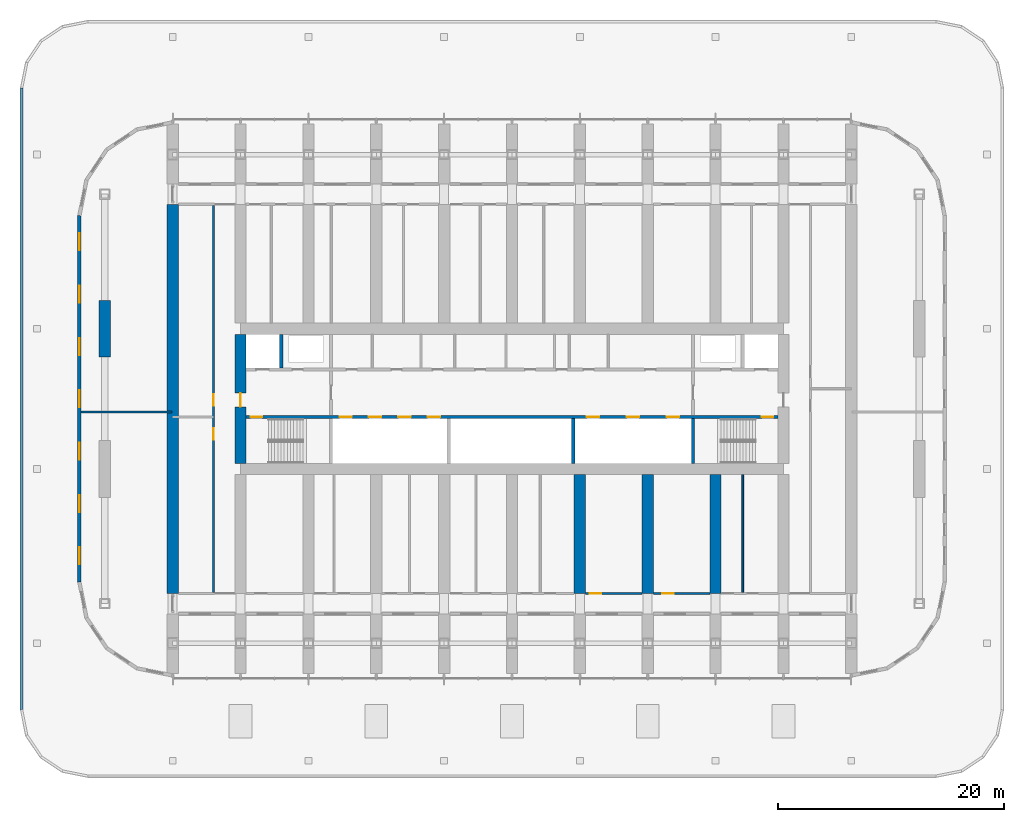
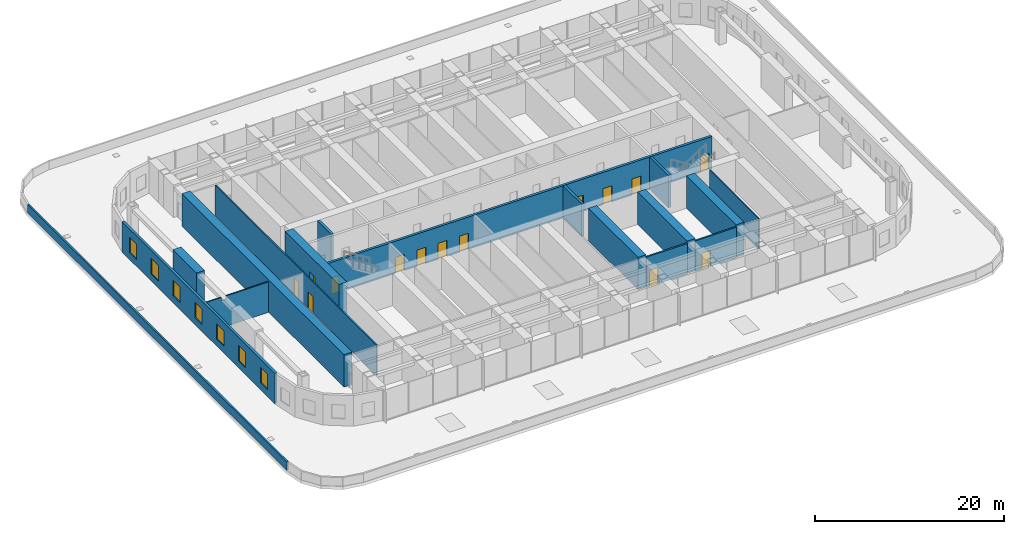
# One storey, part 12 of 23: 17 walls, 14 doors, 7 windows, 21 openings.
"""IFC4 building model written with IfcOpenShell, lengths in metres."""

from ifc_helpers import new_model, si_unit, direction, frame, frame_2d, origin, place, context, subcontext, project, spatial, polyline, rectangle, outline, extrude, material, layer, layer_set, type_object, element, fill, save


model = new_model("IFC4")

# Units and contexts
model_context = context("Model", 3, precision=1e-05, world=origin(), true_north=direction((0.0, 1.0)))
body_context = subcontext(model_context, "Body", "Model", "MODEL_VIEW")
ifc_project = project(units=[si_unit("LENGTHUNIT", "METRE"), si_unit("AREAUNIT", "SQUARE_METRE"), si_unit("VOLUMEUNIT", "CUBIC_METRE"), si_unit("PLANEANGLEUNIT", "RADIAN"), si_unit("MASSUNIT", "GRAM", prefix="KILO")], contexts=[model_context])

# Site, building, storey
site_placement = place(None, origin())
site = spatial("IfcSite", under=ifc_project, at=site_placement, CompositionType="ELEMENT")
building_placement = place(site_placement, origin())
building = spatial("IfcBuilding", under=site, at=building_placement, Name="Orbita Commons", CompositionType="ELEMENT")
storey_placement = place(building_placement, frame((0.0, 0.0, 16.0)))
storey = spatial("IfcBuildingStorey", under=building, at=storey_placement, Name="L03", CompositionType="ELEMENT", Elevation=16.0)

# Wall, openings, doors
ifc_material_1 = material(Name="Concrete C50/60", Category="concrete")
ifc_layer_1 = layer(ifc_material_1, 0.300048828125)
ifc_layer_set_1 = layer_set([ifc_layer_1], Name="Concrete C50/60")
wall_type_1 = type_object("IfcWallType", Name="Core inner wall 300 C50/60", PredefinedType="SHEAR", material=ifc_layer_set_1)
wall_1_placement = place(storey_placement, frame((18.5, 30.39990234375, 0.0), z_axis=(0.0, 0.0, 1.0), x_axis=(1.0, 0.0, 0.0)))
wall_1 = element("IfcWall", 1, at=wall_1_placement, inside=storey, type_object=wall_type_1, Name="Lobby wall south L03", PredefinedType="SHEAR", context=body_context, shape_type="SweptSolid", body=[
    extrude(rectangle(XDim=47.0, YDim=0.300048828125, at=frame_2d((23.5, 0.0))), origin(), (0.0, 0.0, 1.0), 4.199951171875),
])
opening_1_placement = place(wall_1_placement, frame((0.39990234375, 0.0, 0.0)))
opening_1 = element("IfcOpeningElement", 2, at=opening_1_placement, cuts=wall_1, Name="Opening D02", PredefinedType="OPENING", context=body_context, shape_type="SweptSolid", body=[
    extrude(rectangle(XDim=1.0, YDim=2.10009765625, at=frame_2d((0.5, 1.050048828125))), frame((0.0, 0.159912109375, 0.0), z_axis=(0.0, -1.0, 0.0), x_axis=(1.0, 0.0, 0.0)), (0.0, 0.0, 1.0), 0.320068359375),
])
opening_2_placement = place(wall_1_placement, frame((45.60009765625, 0.0, 0.0)))
opening_2 = element("IfcOpeningElement", 3, at=opening_2_placement, cuts=wall_1, Name="Opening D02", PredefinedType="OPENING", context=body_context, shape_type="SweptSolid", body=[
    extrude(rectangle(XDim=1.0, YDim=2.10009765625, at=frame_2d((0.5, 1.050048828125))), frame((0.0, 0.159912109375, 0.0), z_axis=(0.0, -1.0, 0.0), x_axis=(1.0, 0.0, 0.0)), (0.0, 0.0, 1.0), 0.320068359375),
])
opening_3_placement = place(wall_1_placement, frame((8.25, 0.0, 0.0)))
opening_3 = element("IfcOpeningElement", 4, at=opening_3_placement, cuts=wall_1, Name="Opening LD02", PredefinedType="OPENING", context=body_context, shape_type="SweptSolid", body=[
    extrude(rectangle(XDim=1.10009765625, YDim=2.10009765625, at=frame_2d((0.550048828125, 1.050048828125))), frame((0.0, 0.159912109375, 0.0), z_axis=(0.0, -1.0, 0.0), x_axis=(1.0, 0.0, 0.0)), (0.0, 0.0, 1.0), 0.320068359375),
])
opening_4_placement = place(wall_1_placement, frame((10.85009765625, 0.0, 0.0)))
opening_4 = element("IfcOpeningElement", 5, at=opening_4_placement, cuts=wall_1, Name="Opening LD02", PredefinedType="OPENING", context=body_context, shape_type="SweptSolid", body=[
    extrude(rectangle(XDim=1.10009765625, YDim=2.10009765625, at=frame_2d((0.550048828125, 1.050048828125))), frame((0.0, 0.159912109375, 0.0), z_axis=(0.0, -1.0, 0.0), x_axis=(1.0, 0.0, 0.0)), (0.0, 0.0, 1.0), 0.320068359375),
])
opening_5_placement = place(wall_1_placement, frame((13.449951171875, 0.0, 0.0)))
opening_5 = element("IfcOpeningElement", 6, at=opening_5_placement, cuts=wall_1, Name="Opening LD02", PredefinedType="OPENING", context=body_context, shape_type="SweptSolid", body=[
    extrude(rectangle(XDim=1.10009765625, YDim=2.10009765625, at=frame_2d((0.550048828125, 1.050048828125))), frame((0.0, 0.159912109375, 0.0), z_axis=(0.0, -1.0, 0.0), x_axis=(1.0, 0.0, 0.0)), (0.0, 0.0, 1.0), 0.320068359375),
])
opening_6_placement = place(wall_1_placement, frame((16.050048828125, 0.0, 0.0)))
opening_6 = element("IfcOpeningElement", 7, at=opening_6_placement, cuts=wall_1, Name="Opening LD02", PredefinedType="OPENING", context=body_context, shape_type="SweptSolid", body=[
    extrude(rectangle(XDim=1.10009765625, YDim=2.10009765625, at=frame_2d((0.550048828125, 1.050048828125))), frame((0.0, 0.159912109375, 0.0), z_axis=(0.0, -1.0, 0.0), x_axis=(1.0, 0.0, 0.0)), (0.0, 0.0, 1.0), 0.320068359375),
])
opening_7_placement = place(wall_1_placement, frame((30.11669921875, 0.0, 0.0)))
opening_7 = element("IfcOpeningElement", 8, at=opening_7_placement, cuts=wall_1, Name="Opening LD02", PredefinedType="OPENING", context=body_context, shape_type="SweptSolid", body=[
    extrude(rectangle(XDim=1.10009765625, YDim=2.10009765625, at=frame_2d((0.550048828125, 1.050048828125))), frame((0.0, 0.159912109375, 0.0), z_axis=(0.0, -1.0, 0.0), x_axis=(1.0, 0.0, 0.0)), (0.0, 0.0, 1.0), 0.320068359375),
])
opening_8_placement = place(wall_1_placement, frame((33.64990234375, 0.0, 0.0)))
opening_8 = element("IfcOpeningElement", 9, at=opening_8_placement, cuts=wall_1, Name="Opening LD02", PredefinedType="OPENING", context=body_context, shape_type="SweptSolid", body=[
    extrude(rectangle(XDim=1.10009765625, YDim=2.10009765625, at=frame_2d((0.550048828125, 1.050048828125))), frame((0.0, 0.159912109375, 0.0), z_axis=(0.0, -1.0, 0.0), x_axis=(1.0, 0.0, 0.0)), (0.0, 0.0, 1.0), 0.320068359375),
])
opening_9_placement = place(wall_1_placement, frame((37.183349609375, 0.0, 0.0)))
opening_9 = element("IfcOpeningElement", 10, at=opening_9_placement, cuts=wall_1, Name="Opening LD02", PredefinedType="OPENING", context=body_context, shape_type="SweptSolid", body=[
    extrude(rectangle(XDim=1.10009765625, YDim=2.10009765625, at=frame_2d((0.550048828125, 1.050048828125))), frame((0.0, 0.159912109375, 0.0), z_axis=(0.0, -1.0, 0.0), x_axis=(1.0, 0.0, 0.0)), (0.0, 0.0, 1.0), 0.320068359375),
])
ifc_material_2 = material(Name="Steel-faced fire door leaf", Category="steel")
door_type_1 = type_object("IfcDoorType", Name="Fire door 90 min 1000x2100", OperationType="SINGLE_SWING_LEFT", PredefinedType="DOOR", material=ifc_material_2)
door_1_placement = place(opening_1_placement, origin())
door_1 = element("IfcDoor", 11, at=door_1_placement, inside=storey, type_object=door_type_1, Name="Stair S1 door", OperationType="SINGLE_SWING_LEFT", OverallHeight=2.10009765625, OverallWidth=1.0, PredefinedType="DOOR", context=body_context, shape_type="SweptSolid", body=[
    extrude(rectangle(XDim=1.0, YDim=2.10009765625, at=frame_2d((0.5, 1.050048828125))), frame((0.0, 0.02490234375, 0.0), z_axis=(0.0, -1.0, 0.0), x_axis=(1.0, 0.0, 0.0)), (0.0, 0.0, 1.0), 0.050048828125),
])
fill(opening_1, door_1)
door_2_placement = place(opening_2_placement, origin())
door_2 = element("IfcDoor", 12, at=door_2_placement, inside=storey, type_object=door_type_1, Name="Stair S2 door", OperationType="SINGLE_SWING_LEFT", OverallHeight=2.10009765625, OverallWidth=1.0, PredefinedType="DOOR", context=body_context, shape_type="SweptSolid", body=[
    extrude(rectangle(XDim=1.0, YDim=2.10009765625, at=frame_2d((0.5, 1.050048828125))), frame((0.0, 0.02490234375, 0.0), z_axis=(0.0, -1.0, 0.0), x_axis=(1.0, 0.0, 0.0)), (0.0, 0.0, 1.0), 0.050048828125),
])
fill(opening_2, door_2)
ifc_material_3 = material(Name="Steel-faced fire door leaf", Category="steel")
door_type_2 = type_object("IfcDoorType", Name="Lift landing door 1100x2100", OperationType="DOUBLE_DOOR_SLIDING", PredefinedType="DOOR", material=ifc_material_3)
door_3_placement = place(opening_3_placement, origin())
door_3 = element("IfcDoor", 13, at=door_3_placement, inside=storey, type_object=door_type_2, Name="Lift P11 landing door", OperationType="DOUBLE_DOOR_SLIDING", OverallHeight=2.10009765625, OverallWidth=1.10009765625, PredefinedType="DOOR", context=body_context, shape_type="SweptSolid", body=[
    extrude(rectangle(XDim=1.10009765625, YDim=2.10009765625, at=frame_2d((0.550048828125, 1.050048828125))), frame((0.0, 0.02490234375, 0.0), z_axis=(0.0, -1.0, 0.0), x_axis=(1.0, 0.0, 0.0)), (0.0, 0.0, 1.0), 0.050048828125),
])
fill(opening_3, door_3)
door_4_placement = place(opening_4_placement, origin())
door_4 = element("IfcDoor", 14, at=door_4_placement, inside=storey, type_object=door_type_2, Name="Lift P12 landing door", OperationType="DOUBLE_DOOR_SLIDING", OverallHeight=2.10009765625, OverallWidth=1.10009765625, PredefinedType="DOOR", context=body_context, shape_type="SweptSolid", body=[
    extrude(rectangle(XDim=1.10009765625, YDim=2.10009765625, at=frame_2d((0.550048828125, 1.050048828125))), frame((0.0, 0.02490234375, 0.0), z_axis=(0.0, -1.0, 0.0), x_axis=(1.0, 0.0, 0.0)), (0.0, 0.0, 1.0), 0.050048828125),
])
fill(opening_4, door_4)
door_5_placement = place(opening_5_placement, origin())
door_5 = element("IfcDoor", 15, at=door_5_placement, inside=storey, type_object=door_type_2, Name="Lift P13 landing door", OperationType="DOUBLE_DOOR_SLIDING", OverallHeight=2.10009765625, OverallWidth=1.10009765625, PredefinedType="DOOR", context=body_context, shape_type="SweptSolid", body=[
    extrude(rectangle(XDim=1.10009765625, YDim=2.10009765625, at=frame_2d((0.550048828125, 1.050048828125))), frame((0.0, 0.02490234375, 0.0), z_axis=(0.0, -1.0, 0.0), x_axis=(1.0, 0.0, 0.0)), (0.0, 0.0, 1.0), 0.050048828125),
])
fill(opening_5, door_5)
door_6_placement = place(opening_6_placement, origin())
door_6 = element("IfcDoor", 16, at=door_6_placement, inside=storey, type_object=door_type_2, Name="Lift P14 landing door", OperationType="DOUBLE_DOOR_SLIDING", OverallHeight=2.10009765625, OverallWidth=1.10009765625, PredefinedType="DOOR", context=body_context, shape_type="SweptSolid", body=[
    extrude(rectangle(XDim=1.10009765625, YDim=2.10009765625, at=frame_2d((0.550048828125, 1.050048828125))), frame((0.0, 0.02490234375, 0.0), z_axis=(0.0, -1.0, 0.0), x_axis=(1.0, 0.0, 0.0)), (0.0, 0.0, 1.0), 0.050048828125),
])
fill(opening_6, door_6)
door_7_placement = place(opening_7_placement, origin())
door_7 = element("IfcDoor", 17, at=door_7_placement, inside=storey, type_object=door_type_2, Name="Lift SV1 landing door", OperationType="DOUBLE_DOOR_SLIDING", OverallHeight=2.10009765625, OverallWidth=1.10009765625, PredefinedType="DOOR", context=body_context, shape_type="SweptSolid", body=[
    extrude(rectangle(XDim=1.10009765625, YDim=2.10009765625, at=frame_2d((0.550048828125, 1.050048828125))), frame((0.0, 0.02490234375, 0.0), z_axis=(0.0, -1.0, 0.0), x_axis=(1.0, 0.0, 0.0)), (0.0, 0.0, 1.0), 0.050048828125),
])
fill(opening_7, door_7)
door_8_placement = place(opening_8_placement, origin())
door_8 = element("IfcDoor", 18, at=door_8_placement, inside=storey, type_object=door_type_2, Name="Lift SV2 landing door", OperationType="DOUBLE_DOOR_SLIDING", OverallHeight=2.10009765625, OverallWidth=1.10009765625, PredefinedType="DOOR", context=body_context, shape_type="SweptSolid", body=[
    extrude(rectangle(XDim=1.10009765625, YDim=2.10009765625, at=frame_2d((0.550048828125, 1.050048828125))), frame((0.0, 0.02490234375, 0.0), z_axis=(0.0, -1.0, 0.0), x_axis=(1.0, 0.0, 0.0)), (0.0, 0.0, 1.0), 0.050048828125),
])
fill(opening_8, door_8)
door_9_placement = place(opening_9_placement, origin())
door_9 = element("IfcDoor", 19, at=door_9_placement, inside=storey, type_object=door_type_2, Name="Lift SV3 landing door", OperationType="DOUBLE_DOOR_SLIDING", OverallHeight=2.10009765625, OverallWidth=1.10009765625, PredefinedType="DOOR", context=body_context, shape_type="SweptSolid", body=[
    extrude(rectangle(XDim=1.10009765625, YDim=2.10009765625, at=frame_2d((0.550048828125, 1.050048828125))), frame((0.0, 0.02490234375, 0.0), z_axis=(0.0, -1.0, 0.0), x_axis=(1.0, 0.0, 0.0)), (0.0, 0.0, 1.0), 0.050048828125),
])
fill(opening_9, door_9)

# Walls
wall_2_placement = place(storey_placement, frame((58.0, 26.300048828125, 0.0), z_axis=(0.0, 0.0, 1.0), x_axis=(0.0, 1.0, 0.0)))
element("IfcWall", 20, at=wall_2_placement, inside=storey, type_object=wall_type_1, Name="Stair S2 wall L03", PredefinedType="SHEAR", context=body_context, shape_type="SweptSolid", body=[
    extrude(rectangle(XDim=3.949951171875, YDim=0.300048828125, at=frame_2d((1.97509765625, 0.0))), origin(), (0.0, 0.0, 1.0), 4.199951171875),
])
wall_3_placement = place(storey_placement, frame((21.60009765625, 34.75, 0.0), z_axis=(0.0, 0.0, 1.0), x_axis=(0.0, 1.0, 0.0)))
element("IfcWall", 21, at=wall_3_placement, inside=storey, type_object=wall_type_1, Name="Firefighting lift FL1 shaft wall L03", PredefinedType="SHEAR", context=body_context, shape_type="SweptSolid", body=[
    extrude(rectangle(XDim=2.949951171875, YDim=0.300048828125, at=frame_2d((1.47509765625, 0.0))), origin(), (0.0, 0.0, 1.0), 4.199951171875),
])
wall_4_placement = place(storey_placement, frame((47.39990234375, 26.300048828125, 0.0), z_axis=(0.0, 0.0, 1.0), x_axis=(0.0, 1.0, 0.0)))
element("IfcWall", 22, at=wall_4_placement, inside=storey, type_object=wall_type_1, Name="Hoistway division wall L03", PredefinedType="SHEAR", context=body_context, shape_type="SweptSolid", body=[
    extrude(rectangle(XDim=3.949951171875, YDim=0.300048828125, at=frame_2d((1.97509765625, 0.0))), origin(), (0.0, 0.0, 1.0), 4.199951171875),
])

# Wall, opening, door
ifc_material_4 = material(Name="Concrete C50/60", Category="concrete")
ifc_layer_2 = layer(ifc_material_4, 1.0)
ifc_layer_set_2 = layer_set([ifc_layer_2], Name="Concrete C50/60")
wall_type_2 = type_object("IfcWallType", Name="Core wall 1000 C50/60", PredefinedType="SHEAR", material=ifc_layer_set_2)
wall_5_placement = place(storey_placement, frame((18.0, 26.300048828125, 0.0), z_axis=(0.0, 0.0, 1.0), x_axis=(0.0, 1.0, 0.0)))
wall_5 = element("IfcWall", 23, at=wall_5_placement, inside=storey, type_object=wall_type_2, Name="Core end wall west L03", PredefinedType="SHEAR", context=body_context, shape_type="SweptSolid", body=[
    extrude(rectangle(XDim=11.39990234375, YDim=1.0, at=frame_2d((5.699951171875, 0.0))), origin(), (0.0, 0.0, 1.0), 4.199951171875),
])
opening_10_placement = place(wall_5_placement, frame((5.0, 0.0, 0.0)))
opening_10 = element("IfcOpeningElement", 24, at=opening_10_placement, cuts=wall_5, Name="Opening D01", PredefinedType="OPENING", context=body_context, shape_type="SweptSolid", body=[
    extrude(rectangle(XDim=1.199951171875, YDim=2.10009765625, at=frame_2d((0.60009765625, 1.050048828125))), frame((0.0, 0.510009765625, 0.0), z_axis=(0.0, -1.0, 0.0), x_axis=(1.0, 0.0, 0.0)), (0.0, 0.0, 1.0), 1.02001953125),
])
ifc_material_5 = material(Name="Steel-faced fire door leaf", Category="steel")
door_type_3 = type_object("IfcDoorType", Name="Fire door 90 min 1200x2100", OperationType="SINGLE_SWING_LEFT", PredefinedType="DOOR", material=ifc_material_5)
door_10_placement = place(opening_10_placement, origin())
door_10 = element("IfcDoor", 25, at=door_10_placement, inside=storey, type_object=door_type_3, Name="Firefighting lobby west door", OperationType="SINGLE_SWING_LEFT", OverallHeight=2.10009765625, OverallWidth=1.199951171875, PredefinedType="DOOR", context=body_context, shape_type="SweptSolid", body=[
    extrude(rectangle(XDim=1.199951171875, YDim=2.10009765625, at=frame_2d((0.60009765625, 1.050048828125))), frame((0.0, 0.02490234375, 0.0), z_axis=(0.0, -1.0, 0.0), x_axis=(1.0, 0.0, 0.0)), (0.0, 0.0, 1.0), 0.050048828125),
])
fill(opening_10, door_10)

ifc_material_6 = material(Name="Hollow concrete block 200", Category="concrete")
ifc_layer_3 = layer(ifc_material_6, 0.199951171875)
ifc_layer_set_3 = layer_set([ifc_layer_3], Name="Hollow concrete block 200")
wall_type_3 = type_object("IfcWallType", Name="Corridor wall 200 hollow concrete block", PredefinedType="SOLIDWALL", material=ifc_layer_set_3)
wall_6_placement = place(storey_placement, frame((48.5, 14.800048828125, 0.0), z_axis=(0.0, 0.0, 1.0), x_axis=(1.0, 0.0, 0.0)))
wall_6 = element("IfcWall", 26, at=wall_6_placement, inside=storey, type_object=wall_type_3, Name="Corridor wall 200 hollow concrete block L03", PredefinedType="SOLIDWALL", context=body_context, shape_type="SweptSolid", body=[
    extrude(rectangle(XDim=5.0, YDim=0.199951171875, at=frame_2d((2.5, 0.0))), origin(), (0.0, 0.0, 1.0), 3.949951171875),
])
opening_11_placement = place(wall_6_placement, frame((0.375, 0.0, 0.0)))
opening_11 = element("IfcOpeningElement", 27, at=opening_11_placement, cuts=wall_6, Name="Opening D06", PredefinedType="OPENING", context=body_context, shape_type="SweptSolid", body=[
    extrude(rectangle(XDim=1.0, YDim=2.10009765625, at=frame_2d((0.5, 1.050048828125))), frame((0.0, 0.10986328125, 0.0), z_axis=(0.0, -1.0, 0.0), x_axis=(1.0, 0.0, 0.0)), (0.0, 0.0, 1.0), 0.219970703125),
])
ifc_material_7 = material(Name="Steel-faced fire door leaf", Category="steel")
door_type_4 = type_object("IfcDoorType", Name="Corridor door 20 min 1000x2100", OperationType="SINGLE_SWING_LEFT", PredefinedType="DOOR", material=ifc_material_7)
door_11_placement = place(opening_11_placement, origin())
door_11 = element("IfcDoor", 28, at=door_11_placement, inside=storey, type_object=door_type_4, Name="Refuse and recycling room L03-BDS48 door", OperationType="SINGLE_SWING_LEFT", OverallHeight=2.10009765625, OverallWidth=1.0, PredefinedType="DOOR", context=body_context, shape_type="SweptSolid", body=[
    extrude(rectangle(XDim=1.0, YDim=2.10009765625, at=frame_2d((0.5, 1.050048828125))), frame((0.0, 0.02490234375, 0.0), z_axis=(0.0, -1.0, 0.0), x_axis=(1.0, 0.0, 0.0)), (0.0, 0.0, 1.0), 0.050048828125),
])
fill(opening_11, door_11)

wall_7_placement = place(storey_placement, frame((54.5, 14.800048828125, 0.0), z_axis=(0.0, 0.0, 1.0), x_axis=(1.0, 0.0, 0.0)))
wall_7 = element("IfcWall", 29, at=wall_7_placement, inside=storey, type_object=wall_type_3, Name="Corridor wall 200 hollow concrete block L03", PredefinedType="SOLIDWALL", context=body_context, shape_type="SweptSolid", body=[
    extrude(rectangle(XDim=5.0, YDim=0.199951171875, at=frame_2d((2.5, 0.0))), origin(), (0.0, 0.0, 1.0), 3.949951171875),
])
opening_12_placement = place(wall_7_placement, frame((0.800048828125, 0.0, 0.0)))
opening_12 = element("IfcOpeningElement", 30, at=opening_12_placement, cuts=wall_7, Name="Opening D06", PredefinedType="OPENING", context=body_context, shape_type="SweptSolid", body=[
    extrude(rectangle(XDim=1.0, YDim=2.10009765625, at=frame_2d((0.5, 1.050048828125))), frame((0.0, 0.10986328125, 0.0), z_axis=(0.0, -1.0, 0.0), x_axis=(1.0, 0.0, 0.0)), (0.0, 0.0, 1.0), 0.219970703125),
])
door_12_placement = place(opening_12_placement, origin())
door_12 = element("IfcDoor", 31, at=door_12_placement, inside=storey, type_object=door_type_4, Name="IT room L03-BDS54 door", OperationType="SINGLE_SWING_LEFT", OverallHeight=2.10009765625, OverallWidth=1.0, PredefinedType="DOOR", context=body_context, shape_type="SweptSolid", body=[
    extrude(rectangle(XDim=1.0, YDim=2.10009765625, at=frame_2d((0.5, 1.050048828125))), frame((0.0, 0.02490234375, 0.0), z_axis=(0.0, -1.0, 0.0), x_axis=(1.0, 0.0, 0.0)), (0.0, 0.0, 1.0), 0.050048828125),
])
fill(opening_12, door_12)

# Walls
ifc_material_8 = material(Name="Concrete C50/60", Category="concrete")
ifc_layer_4 = layer(ifc_material_8, 1.0)
ifc_layer_set_4 = layer_set([ifc_layer_4], Name="Concrete C50/60")
wall_type_4 = type_object("IfcWallType", Name="Cross wall 1000 C50/60", PredefinedType="SHEAR", material=ifc_layer_set_4)
wall_8_placement = place(storey_placement, frame((12.0, 14.800048828125, 0.0), z_axis=(0.0, 0.0, 1.0), x_axis=(0.0, 1.0, 0.0)))
element("IfcWall", 32, at=wall_8_placement, inside=storey, type_object=wall_type_4, Name="Cross wall 3 inner L03", PredefinedType="SHEAR", context=body_context, shape_type="SweptSolid", body=[
    extrude(rectangle(XDim=34.39990234375, YDim=1.0, at=frame_2d((17.199951171875, 0.0))), origin(), (0.0, 0.0, 1.0), 4.199951171875),
])
for number, where, z_axis, x_axis, name in (
    (33, (48.0, 14.800048828125, 0.0), (0.0, 0.0, 1.0), (0.0, 1.0, 0.0), "Cross wall 9 south inner L03"),
    (34, (54.0, 14.800048828125, 0.0), (0.0, 0.0, 1.0), (0.0, 1.0, 0.0), "Cross wall 10 south inner L03"),
    (35, (60.0, 14.800048828125, 0.0), (0.0, 0.0, 1.0), (0.0, 1.0, 0.0), "Cross wall 11 south inner L03"),
):
    element("IfcWall", number, at=place(storey_placement, frame(where, z_axis=z_axis, x_axis=x_axis)), inside=storey, type_object=wall_type_4, Name=name, PredefinedType="SHEAR", context=body_context, shape_type="SweptSolid", body=[
        extrude(rectangle(XDim=10.5, YDim=1.0, at=frame_2d((5.25, 0.0))), origin(), (0.0, 0.0, 1.0), 4.199951171875),
    ])
ifc_material_9 = material(Name="Concrete C50/60", Category="concrete")
ifc_layer_5 = layer(ifc_material_9, 1.0)
ifc_layer_set_5 = layer_set([ifc_layer_5], Name="Concrete C50/60")
wall_type_5 = type_object("IfcWallType", Name="End pier 1000x5000 C50/60", PredefinedType="SHEAR", material=ifc_layer_set_5)
wall_9_placement = place(storey_placement, frame((6.0, 35.699951171875, 0.0), z_axis=(0.0, 0.0, 1.0), x_axis=(0.0, 1.0, 0.0)))
element("IfcWall", 36, at=wall_9_placement, inside=storey, type_object=wall_type_5, Name="End pier 2/D L03", PredefinedType="SHEAR", context=body_context, shape_type="SweptSolid", body=[
    extrude(rectangle(XDim=5.0, YDim=1.0, at=frame_2d((2.5, 0.0))), origin(), (0.0, 0.0, 1.0), 4.199951171875),
])
ifc_material_10 = material(Name="Gypsum plasterboard on steel studs", Category="steel")
ifc_layer_6 = layer(ifc_material_10, 0.14990234375)
ifc_layer_set_6 = layer_set([ifc_layer_6], Name="Gypsum plasterboard on steel studs")
wall_type_6 = type_object("IfcWallType", Name="Partition 150 plasterboard", PredefinedType="PARTITIONING", material=ifc_layer_set_6)
wall_10_placement = place(storey_placement, frame((62.39990234375, 14.89990234375, 0.0), z_axis=(0.0, 0.0, 1.0), x_axis=(0.0, 1.0, 0.0)))
element("IfcWall", 37, at=wall_10_placement, inside=storey, type_object=wall_type_6, Name="Partition 150 plasterboard L03", PredefinedType="PARTITIONING", context=body_context, shape_type="SweptSolid", body=[
    extrude(rectangle(XDim=10.400146484375, YDim=0.14990234375, at=frame_2d((5.2001953125, 0.0))), origin(), (0.0, 0.0, 1.0), 3.949951171875),
])

# Wall, openings, doors
wall_11_placement = place(storey_placement, frame((15.60009765625, 14.89990234375, 0.0), z_axis=(0.0, 0.0, 1.0), x_axis=(0.0, 1.0, 0.0)))
wall_11 = element("IfcWall", 38, at=wall_11_placement, inside=storey, type_object=wall_type_6, Name="Partition 150 plasterboard L03", PredefinedType="PARTITIONING", context=body_context, shape_type="SweptSolid", body=[
    extrude(rectangle(XDim=34.2001953125, YDim=0.14990234375, at=frame_2d((17.10009765625, 0.0))), origin(), (0.0, 0.0, 1.0), 3.949951171875),
])
opening_13_placement = place(wall_11_placement, frame((13.5, 0.0, 0.0)))
opening_13 = element("IfcOpeningElement", 39, at=opening_13_placement, cuts=wall_11, Name="Opening D06", PredefinedType="OPENING", context=body_context, shape_type="SweptSolid", body=[
    extrude(rectangle(XDim=1.0, YDim=2.10009765625, at=frame_2d((0.5, 1.050048828125))), frame((0.0, 0.0849609375, 0.0), z_axis=(0.0, -1.0, 0.0), x_axis=(1.0, 0.0, 0.0)), (0.0, 0.0, 1.0), 0.169921875),
])
opening_14_placement = place(wall_11_placement, frame((16.5, 0.0, 0.0)))
opening_14 = element("IfcOpeningElement", 40, at=opening_14_placement, cuts=wall_11, Name="Opening D06", PredefinedType="OPENING", context=body_context, shape_type="SweptSolid", body=[
    extrude(rectangle(XDim=1.0, YDim=2.10009765625, at=frame_2d((0.5, 1.050048828125))), frame((0.0, 0.0849609375, 0.0), z_axis=(0.0, -1.0, 0.0), x_axis=(1.0, 0.0, 0.0)), (0.0, 0.0, 1.0), 0.169921875),
])
door_13_placement = place(opening_13_placement, origin())
door_13 = element("IfcDoor", 41, at=door_13_placement, inside=storey, type_object=door_type_4, Name="Quiet room door", OperationType="SINGLE_SWING_LEFT", OverallHeight=2.10009765625, OverallWidth=1.0, PredefinedType="DOOR", context=body_context, shape_type="SweptSolid", body=[
    extrude(rectangle(XDim=1.0, YDim=2.10009765625, at=frame_2d((0.5, 1.050048828125))), frame((0.0, 0.02490234375, 0.0), z_axis=(0.0, -1.0, 0.0), x_axis=(1.0, 0.0, 0.0)), (0.0, 0.0, 1.0), 0.050048828125),
])
fill(opening_13, door_13)
door_14_placement = place(opening_14_placement, origin())
door_14 = element("IfcDoor", 42, at=door_14_placement, inside=storey, type_object=door_type_4, Name="Quiet room wn door", OperationType="SINGLE_SWING_LEFT", OverallHeight=2.10009765625, OverallWidth=1.0, PredefinedType="DOOR", context=body_context, shape_type="SweptSolid", body=[
    extrude(rectangle(XDim=1.0, YDim=2.10009765625, at=frame_2d((0.5, 1.050048828125))), frame((0.0, 0.02490234375, 0.0), z_axis=(0.0, -1.0, 0.0), x_axis=(1.0, 0.0, 0.0)), (0.0, 0.0, 1.0), 0.050048828125),
])
fill(opening_14, door_14)

# Wall
wall_12_placement = place(storey_placement, frame((3.905029296875, 30.85009765625, 0.0), z_axis=(0.0, 0.0, 1.0), x_axis=(1.0, 0.0, 0.0)))
element("IfcWall", 43, at=wall_12_placement, inside=storey, type_object=wall_type_6, Name="Partition 150 plasterboard L03", PredefinedType="PARTITIONING", context=body_context, shape_type="SweptSolid", body=[
    extrude(outline(polyline([(0.0, 0.0), (8.02001953125, 0.0), (8.02001953125, 3.949951171875), (2.39697265625, 3.949951171875), (2.39501953125, 3.5), (1.797119140625, 3.5), (1.794921875, 3.949951171875), (0.0, 3.949951171875), (0.0, 0.0)])), frame((0.0, 0.074951171875, 0.0), z_axis=(0.0, -1.0, 0.0), x_axis=(1.0, 0.0, 0.0)), (0.0, 0.0, 1.0), 0.14990234375),
])

# Wall, openings, windows
ifc_material_11 = material(Name="Precast concrete C40/50, white board-marked finish", Category="concrete")
ifc_layer_7 = layer(ifc_material_11, 0.300048828125)
ifc_layer_set_7 = layer_set([ifc_layer_7], Name="Precast concrete C40/50, white board-marked finish")
wall_type_7 = type_object("IfcWallType", Name="Precast concrete end shield 300", PredefinedType="SOLIDWALL", material=ifc_layer_set_7)
wall_13_placement = place(storey_placement, frame((3.75, 48.199951171875, 0.0), z_axis=(0.0, 0.0, 1.0), x_axis=(0.0, -1.0, 0.0)))
wall_13 = element("IfcWall", 44, at=wall_13_placement, inside=storey, type_object=wall_type_7, Name="End shield W L03", PredefinedType="SOLIDWALL", context=body_context, shape_type="SweptSolid", body=[
    extrude(outline(polyline([(-0.014892578125, -0.14990234375), (32.414794921875, -0.14990234375), (32.385009765625, 0.14990234375), (0.014892578125, 0.14990234375), (-0.014892578125, -0.14990234375)])), origin(), (0.0, 0.0, 1.0), 3.949951171875),
])
opening_15_placement = place(wall_13_placement, frame((1.564208984375, 0.0, 0.89990234375)))
opening_15 = element("IfcOpeningElement", 45, at=opening_15_placement, cuts=wall_13, Name="Opening W01", PredefinedType="OPENING", context=body_context, shape_type="SweptSolid", body=[
    extrude(rectangle(XDim=1.5, YDim=2.0, at=frame_2d((0.75, 1.0))), frame((0.0, 0.159912109375, 0.0), z_axis=(0.0, -1.0, 0.0), x_axis=(1.0, 0.0, 0.0)), (0.0, 0.0, 1.0), 0.320068359375),
])
opening_16_placement = place(wall_13_placement, frame((6.19287109375, 0.0, 0.89990234375)))
opening_16 = element("IfcOpeningElement", 46, at=opening_16_placement, cuts=wall_13, Name="Opening W01", PredefinedType="OPENING", context=body_context, shape_type="SweptSolid", body=[
    extrude(rectangle(XDim=1.5, YDim=2.0, at=frame_2d((0.75, 1.0))), frame((0.0, 0.159912109375, 0.0), z_axis=(0.0, -1.0, 0.0), x_axis=(1.0, 0.0, 0.0)), (0.0, 0.0, 1.0), 0.320068359375),
])
opening_17_placement = place(wall_13_placement, frame((10.821533203125, 0.0, 0.89990234375)))
opening_17 = element("IfcOpeningElement", 47, at=opening_17_placement, cuts=wall_13, Name="Opening W01", PredefinedType="OPENING", context=body_context, shape_type="SweptSolid", body=[
    extrude(rectangle(XDim=1.5, YDim=2.0, at=frame_2d((0.75, 1.0))), frame((0.0, 0.159912109375, 0.0), z_axis=(0.0, -1.0, 0.0), x_axis=(1.0, 0.0, 0.0)), (0.0, 0.0, 1.0), 0.320068359375),
])
opening_18_placement = place(wall_13_placement, frame((15.449951171875, 0.0, 0.89990234375)))
opening_18 = element("IfcOpeningElement", 48, at=opening_18_placement, cuts=wall_13, Name="Opening W01", PredefinedType="OPENING", context=body_context, shape_type="SweptSolid", body=[
    extrude(rectangle(XDim=1.5, YDim=2.0, at=frame_2d((0.75, 1.0))), frame((0.0, 0.159912109375, 0.0), z_axis=(0.0, -1.0, 0.0), x_axis=(1.0, 0.0, 0.0)), (0.0, 0.0, 1.0), 0.320068359375),
])
opening_19_placement = place(wall_13_placement, frame((20.07861328125, 0.0, 0.89990234375)))
opening_19 = element("IfcOpeningElement", 49, at=opening_19_placement, cuts=wall_13, Name="Opening W01", PredefinedType="OPENING", context=body_context, shape_type="SweptSolid", body=[
    extrude(rectangle(XDim=1.5, YDim=2.0, at=frame_2d((0.75, 1.0))), frame((0.0, 0.159912109375, 0.0), z_axis=(0.0, -1.0, 0.0), x_axis=(1.0, 0.0, 0.0)), (0.0, 0.0, 1.0), 0.320068359375),
])
opening_20_placement = place(wall_13_placement, frame((24.70703125, 0.0, 0.89990234375)))
opening_20 = element("IfcOpeningElement", 50, at=opening_20_placement, cuts=wall_13, Name="Opening W01", PredefinedType="OPENING", context=body_context, shape_type="SweptSolid", body=[
    extrude(rectangle(XDim=1.5, YDim=2.0, at=frame_2d((0.75, 1.0))), frame((0.0, 0.159912109375, 0.0), z_axis=(0.0, -1.0, 0.0), x_axis=(1.0, 0.0, 0.0)), (0.0, 0.0, 1.0), 0.320068359375),
])
opening_21_placement = place(wall_13_placement, frame((29.335693359375, 0.0, 0.89990234375)))
opening_21 = element("IfcOpeningElement", 51, at=opening_21_placement, cuts=wall_13, Name="Opening W01", PredefinedType="OPENING", context=body_context, shape_type="SweptSolid", body=[
    extrude(rectangle(XDim=1.5, YDim=2.0, at=frame_2d((0.75, 1.0))), frame((0.0, 0.159912109375, 0.0), z_axis=(0.0, -1.0, 0.0), x_axis=(1.0, 0.0, 0.0)), (0.0, 0.0, 1.0), 0.320068359375),
])
ifc_material_12 = material(Name="Aluminium frame, clear double glazing", Category="aluminium")
window_type = type_object("IfcWindowType", Name="Deep-set window 1500x2000", PartitioningType="SINGLE_PANEL", PredefinedType="WINDOW", material=ifc_material_12)
window_1_placement = place(opening_15_placement, origin())
window_1 = element("IfcWindow", 52, at=window_1_placement, inside=storey, type_object=window_type, Name="Window L03-W 1", OverallHeight=2.0, OverallWidth=1.5, PartitioningType="SINGLE_PANEL", PredefinedType="WINDOW", context=body_context, shape_type="SweptSolid", body=[
    extrude(rectangle(XDim=1.5, YDim=2.0, at=frame_2d((0.75, 1.0))), frame((0.0, 0.030029296875, 0.0), z_axis=(0.0, -1.0, 0.0), x_axis=(1.0, 0.0, 0.0)), (0.0, 0.0, 1.0), 0.06005859375),
])
fill(opening_15, window_1)
window_2_placement = place(opening_16_placement, origin())
window_2 = element("IfcWindow", 53, at=window_2_placement, inside=storey, type_object=window_type, Name="Window L03-W 2", OverallHeight=2.0, OverallWidth=1.5, PartitioningType="SINGLE_PANEL", PredefinedType="WINDOW", context=body_context, shape_type="SweptSolid", body=[
    extrude(rectangle(XDim=1.5, YDim=2.0, at=frame_2d((0.75, 1.0))), frame((0.0, 0.030029296875, 0.0), z_axis=(0.0, -1.0, 0.0), x_axis=(1.0, 0.0, 0.0)), (0.0, 0.0, 1.0), 0.06005859375),
])
fill(opening_16, window_2)
window_3_placement = place(opening_17_placement, origin())
window_3 = element("IfcWindow", 54, at=window_3_placement, inside=storey, type_object=window_type, Name="Window L03-W 3", OverallHeight=2.0, OverallWidth=1.5, PartitioningType="SINGLE_PANEL", PredefinedType="WINDOW", context=body_context, shape_type="SweptSolid", body=[
    extrude(rectangle(XDim=1.5, YDim=2.0, at=frame_2d((0.75, 1.0))), frame((0.0, 0.030029296875, 0.0), z_axis=(0.0, -1.0, 0.0), x_axis=(1.0, 0.0, 0.0)), (0.0, 0.0, 1.0), 0.06005859375),
])
fill(opening_17, window_3)
window_4_placement = place(opening_18_placement, origin())
window_4 = element("IfcWindow", 55, at=window_4_placement, inside=storey, type_object=window_type, Name="Window L03-W 4", OverallHeight=2.0, OverallWidth=1.5, PartitioningType="SINGLE_PANEL", PredefinedType="WINDOW", context=body_context, shape_type="SweptSolid", body=[
    extrude(rectangle(XDim=1.5, YDim=2.0, at=frame_2d((0.75, 1.0))), frame((0.0, 0.030029296875, 0.0), z_axis=(0.0, -1.0, 0.0), x_axis=(1.0, 0.0, 0.0)), (0.0, 0.0, 1.0), 0.06005859375),
])
fill(opening_18, window_4)
window_5_placement = place(opening_19_placement, origin())
window_5 = element("IfcWindow", 56, at=window_5_placement, inside=storey, type_object=window_type, Name="Window L03-W 5", OverallHeight=2.0, OverallWidth=1.5, PartitioningType="SINGLE_PANEL", PredefinedType="WINDOW", context=body_context, shape_type="SweptSolid", body=[
    extrude(rectangle(XDim=1.5, YDim=2.0, at=frame_2d((0.75, 1.0))), frame((0.0, 0.030029296875, 0.0), z_axis=(0.0, -1.0, 0.0), x_axis=(1.0, 0.0, 0.0)), (0.0, 0.0, 1.0), 0.06005859375),
])
fill(opening_19, window_5)
window_6_placement = place(opening_20_placement, origin())
window_6 = element("IfcWindow", 57, at=window_6_placement, inside=storey, type_object=window_type, Name="Window L03-W 6", OverallHeight=2.0, OverallWidth=1.5, PartitioningType="SINGLE_PANEL", PredefinedType="WINDOW", context=body_context, shape_type="SweptSolid", body=[
    extrude(rectangle(XDim=1.5, YDim=2.0, at=frame_2d((0.75, 1.0))), frame((0.0, 0.030029296875, 0.0), z_axis=(0.0, -1.0, 0.0), x_axis=(1.0, 0.0, 0.0)), (0.0, 0.0, 1.0), 0.06005859375),
])
fill(opening_20, window_6)
window_7_placement = place(opening_21_placement, origin())
window_7 = element("IfcWindow", 58, at=window_7_placement, inside=storey, type_object=window_type, Name="Window L03-W 7", OverallHeight=2.0, OverallWidth=1.5, PartitioningType="SINGLE_PANEL", PredefinedType="WINDOW", context=body_context, shape_type="SweptSolid", body=[
    extrude(rectangle(XDim=1.5, YDim=2.0, at=frame_2d((0.75, 1.0))), frame((0.0, 0.030029296875, 0.0), z_axis=(0.0, -1.0, 0.0), x_axis=(1.0, 0.0, 0.0)), (0.0, 0.0, 1.0), 0.06005859375),
])
fill(opening_21, window_7)

# Wall
ifc_material_13 = material(Name="Precast concrete C40/50, white board-marked finish", Category="concrete")
ifc_layer_8 = layer(ifc_material_13, 0.199951171875)
ifc_layer_set_8 = layer_set([ifc_layer_8], Name="Precast concrete C40/50, white board-marked finish")
wall_type_8 = type_object("IfcWallType", Name="Precast parapet 200", PredefinedType="PARAPET", material=ifc_layer_set_8)
wall_14_placement = place(storey_placement, frame((-1.35009765625, 4.514892578125, 0.0), z_axis=(0.0, 0.0, 1.0), x_axis=(0.0, 1.0, 0.0)))
element("IfcWall", 59, at=wall_14_placement, inside=storey, type_object=wall_type_8, Name="Parapet L03 1.5", PredefinedType="PARAPET", context=body_context, shape_type="SweptSolid", body=[
    extrude(rectangle(XDim=54.97021484375, YDim=0.199951171875, at=frame_2d((27.485107421875, 0.0))), origin(), (0.0, 0.0, 1.0), 1.10009765625),
])

save(model, "model.ifc")
